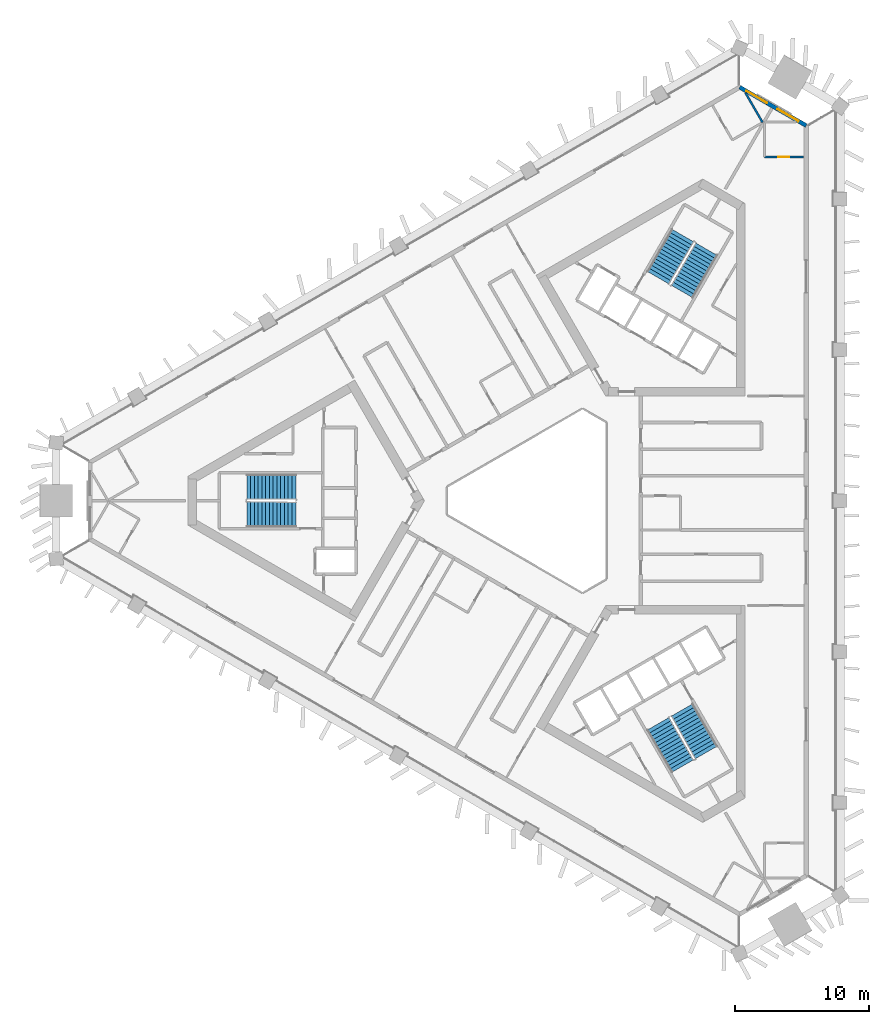
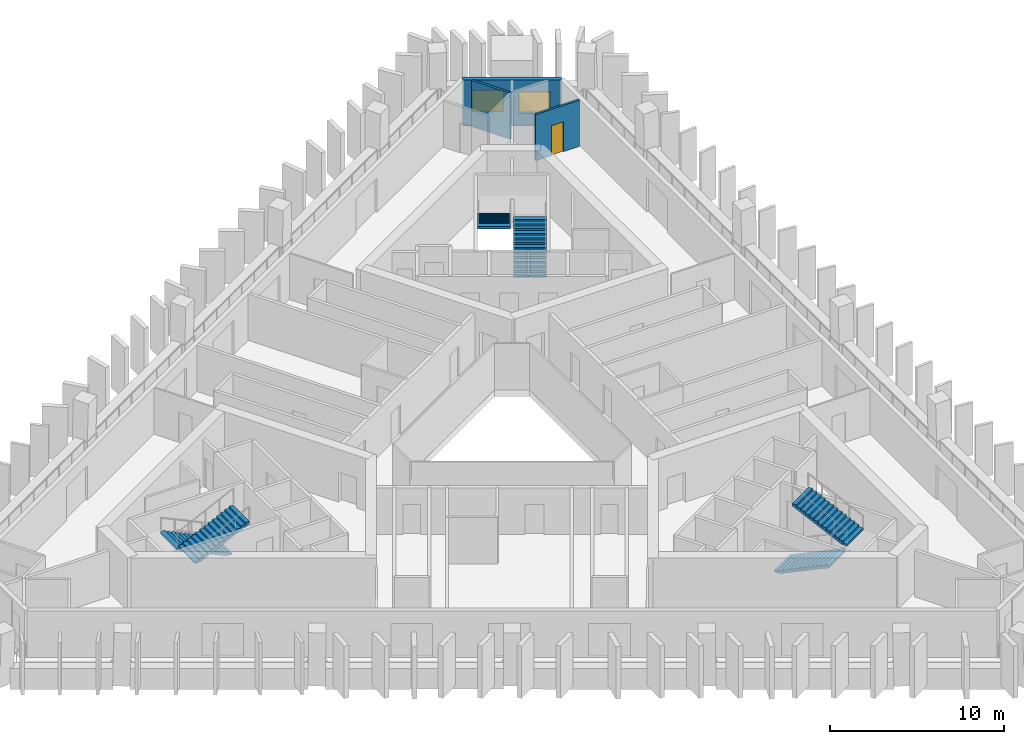
# One storey, part 7 of 11: 6 stair flights, 3 walls, 2 windows, 1 door, 3 openings, 3 elements without a shape of their own.
"""IFC4 building model written with IfcOpenShell, lengths in metres."""

from ifc_helpers import new_model, si_unit, direction, frame, frame_2d, origin, place, context, subcontext, project, spatial, polyline, rectangle, outline, extrude, material, layer, layer_set, type_object, element, fill, aggregate, save


model = new_model("IFC4")

# Units and contexts
model_context = context("Model", 3, precision=1e-05, world=origin(), true_north=direction((0.0, 1.0)))
body_context = subcontext(model_context, "Body", "Model", "MODEL_VIEW")
ifc_project = project(units=[si_unit("LENGTHUNIT", "METRE"), si_unit("AREAUNIT", "SQUARE_METRE"), si_unit("VOLUMEUNIT", "CUBIC_METRE"), si_unit("PLANEANGLEUNIT", "RADIAN"), si_unit("MASSUNIT", "GRAM", prefix="KILO")], contexts=[model_context])

# Site, building, storey
site_placement = place(None, origin())
site = spatial("IfcSite", under=ifc_project, at=site_placement, CompositionType="ELEMENT")
building_placement = place(site_placement, origin())
building = spatial("IfcBuilding", under=site, at=building_placement, Name="Jabali Bay Hotel Tower and Convention Centre", CompositionType="ELEMENT")
storey_placement = place(building_placement, frame((0.0, 0.0, 132.699951171875)))
storey = spatial("IfcBuildingStorey", under=building, at=storey_placement, Name="L32", CompositionType="ELEMENT", Elevation=132.699951171875)

# Wall, openings, windows
ifc_material_1 = material(Name="Concrete C40", Category="concrete")
ifc_layer_1 = layer(ifc_material_1, 0.300048828125)
ifc_layer_set_1 = layer_set([ifc_layer_1], Name="Concrete C40")
wall_type_1 = type_object("IfcWallType", Name="External wall 300", PredefinedType="SOLIDWALL", material=ifc_layer_set_1)
wall_1_placement = place(storey_placement, frame((89.4765625, 110.789794921875, 0.0), z_axis=(0.0, 0.0, 1.0), x_axis=(0.866021273833, -0.500007153218, 0.0)))
wall_1 = element("IfcWall", 1, at=wall_1_placement, inside=storey, type_object=wall_type_1, Name="External wall north-east chamfer L32", PredefinedType="SOLIDWALL", context=body_context, shape_type="SweptSolid", body=[
    extrude(rectangle(XDim=5.7158203125, YDim=0.300048828125, at=frame_2d((2.85791015625, 0.0))), origin(), (0.0, 0.0, 1.0), 3.25),
])
opening_1_placement = place(wall_1_placement, frame((3.255126953125, 0.0, 0.89990234375)))
opening_1 = element("IfcOpeningElement", 2, at=opening_1_placement, cuts=wall_1, Name="Opening W1", PredefinedType="OPENING", context=body_context, shape_type="SweptSolid", body=[
    extrude(rectangle(XDim=1.800048828125, YDim=1.5, at=frame_2d((0.89990234375, 0.75))), frame((0.0, 0.16064453125, 0.0), z_axis=(0.0, -1.0, 0.0), x_axis=(1.0, 0.0, 0.0)), (0.0, 0.0, 1.0), 0.321044921875),
])
opening_2_placement = place(wall_1_placement, frame((0.557373046875, 0.0, 0.89990234375)))
opening_2 = element("IfcOpeningElement", 3, at=opening_2_placement, cuts=wall_1, Name="Opening W1", PredefinedType="OPENING", context=body_context, shape_type="SweptSolid", body=[
    extrude(rectangle(XDim=1.800048828125, YDim=1.5, at=frame_2d((0.89990234375, 0.75))), frame((0.0, 0.16064453125, 0.0), z_axis=(0.0, -1.0, 0.0), x_axis=(1.0, 0.0, 0.0)), (0.0, 0.0, 1.0), 0.321044921875),
])
ifc_material_2 = material(Name="Glass", Category="glass")
window_type = type_object("IfcWindowType", Name="Window 1800 x 1500", PartitioningType="SINGLE_PANEL", PredefinedType="WINDOW", material=ifc_material_2)
window_1_placement = place(opening_1_placement, origin())
window_1 = element("IfcWindow", 4, at=window_1_placement, inside=storey, type_object=window_type, Name="Window 3204", OverallHeight=1.5, OverallWidth=1.800048828125, PartitioningType="SINGLE_PANEL", PredefinedType="WINDOW", context=body_context, shape_type="SweptSolid", body=[
    extrude(rectangle(XDim=1.800048828125, YDim=1.5, at=frame_2d((0.89990234375, 0.75))), frame((0.0, 0.030029296875, 0.0), z_axis=(0.0, -1.0, 0.0), x_axis=(1.0, 0.0, 0.0)), (0.0, 0.0, 1.0), 0.06005859375),
])
fill(opening_1, window_1)
window_2_placement = place(opening_2_placement, origin())
window_2 = element("IfcWindow", 5, at=window_2_placement, inside=storey, type_object=window_type, Name="Window 3206", OverallHeight=1.5, OverallWidth=1.800048828125, PartitioningType="SINGLE_PANEL", PredefinedType="WINDOW", context=body_context, shape_type="SweptSolid", body=[
    extrude(rectangle(XDim=1.800048828125, YDim=1.5, at=frame_2d((0.89990234375, 0.75))), frame((0.0, 0.030029296875, 0.0), z_axis=(0.0, -1.0, 0.0), x_axis=(1.0, 0.0, 0.0)), (0.0, 0.0, 1.0), 0.06005859375),
])
fill(opening_2, window_2)

# Wall, opening, door
ifc_material_3 = material(Name="Plasterboard on steel stud", Category="steel")
ifc_layer_2 = layer(ifc_material_3, 0.14990234375)
ifc_layer_set_2 = layer_set([ifc_layer_2], Name="Plasterboard on steel stud")
wall_type_2 = type_object("IfcWallType", Name="Partition 150 wet", PredefinedType="PARTITIONING", material=ifc_layer_set_2)
wall_2_placement = place(storey_placement, frame((94.236572265625, 105.59423828125, 0.0), z_axis=(0.0, 0.0, 1.0), x_axis=(-1.0, 0.0, 0.0)))
wall_2 = element("IfcWall", 6, at=wall_2_placement, inside=storey, type_object=wall_type_2, Name="Partition P03 L32 018", PredefinedType="PARTITIONING", context=body_context, shape_type="SweptSolid", body=[
    extrude(rectangle(XDim=2.93505859375, YDim=0.14990234375, at=frame_2d((1.467529296875, 0.0))), origin(), (0.0, 0.0, 1.0), 3.25),
])
opening_3_placement = place(wall_2_placement, frame((1.085205078125, 0.0, 0.0)))
opening_3 = element("IfcOpeningElement", 7, at=opening_3_placement, cuts=wall_2, Name="Opening 3209", PredefinedType="OPENING", context=body_context, shape_type="SweptSolid", body=[
    extrude(rectangle(XDim=0.800048828125, YDim=2.10009765625, at=frame_2d((0.39990234375, 1.050048828125))), frame((0.0, 0.08544921875, 0.0), z_axis=(0.0, -1.0, 0.0), x_axis=(1.0, 0.0, 0.0)), (0.0, 0.0, 1.0), 0.1708984375),
])
ifc_material_4 = material(Name="Timber", Category="wood")
door_type = type_object("IfcDoorType", Name="En-suite door 800 x 2100", OperationType="NOTDEFINED", PredefinedType="NOTDEFINED", material=ifc_material_4)
door_placement = place(opening_3_placement, origin())
door = element("IfcDoor", 8, at=door_placement, inside=storey, type_object=door_type, Name="Door 3209", OperationType="SINGLE_SWING_RIGHT", OverallHeight=2.10009765625, OverallWidth=0.800048828125, PredefinedType="NOTDEFINED", context=body_context, shape_type="SweptSolid", body=[
    extrude(rectangle(XDim=0.800048828125, YDim=2.10009765625, at=frame_2d((0.39990234375, 1.050048828125))), frame((0.0, 0.02490234375, 0.0), z_axis=(0.0, -1.0, 0.0), x_axis=(1.0, 0.0, 0.0)), (0.0, 0.0, 1.0), 0.050048828125),
])
fill(opening_3, door)

# Wall
wall_3_placement = place(storey_placement, frame((89.900634765625, 110.373046875, 0.0), z_axis=(0.0, 0.0, 1.0), x_axis=(0.499946044823, -0.86605655258, 0.0)))
element("IfcWall", 9, at=wall_3_placement, inside=storey, type_object=wall_type_2, Name="Partition P03 L32 027", PredefinedType="PARTITIONING", context=body_context, shape_type="SweptSolid", body=[
    extrude(rectangle(XDim=2.552001953125, YDim=0.14990234375, at=frame_2d((1.27587890625, 0.0))), origin(), (0.0, 0.0, 1.0), 3.25),
])

# Stair, stair flights
stair_type = type_object("IfcStairType", Name="Exit stair 1900", PredefinedType="HALF_TURN_STAIR", material=ifc_material_1)
stair_1_placement = place(storey_placement, origin())
stair_1 = element("IfcStair", 10, at=stair_1_placement, inside=storey, type_object=stair_type, Name="L32 Exit Stair 1", PredefinedType="HALF_TURN_STAIR")
stair_flight_type = type_object("IfcStairFlightType", Name="Stair flight concrete 150", PredefinedType="STRAIGHT", material=ifc_material_1)
stair_flight_1_placement = place(storey_placement, frame((56.419921875, 81.02490234375, 0.0), z_axis=(0.0, 0.0, 1.0), x_axis=(-1.0, 0.0, 0.0)))
stair_flight_1 = element("IfcStairFlight", 11, at=stair_flight_1_placement, type_object=stair_flight_type, Name="ST1 flight 1", NumberOfRisers=14, NumberOfTreads=13, PredefinedType="STRAIGHT", RiserHeight=0.132142857, TreadLength=0.28, context=body_context, shape_type="SweptSolid", body=[
    extrude(outline(polyline([(0.0, 0.0), (0.0, 0.132080078125), (0.280029296875, 0.132080078125), (0.280029296875, 0.264404296875), (0.56005859375, 0.264404296875), (0.56005859375, 0.396484375), (0.840087890625, 0.396484375), (0.840087890625, 0.528564453125), (1.1201171875, 0.528564453125), (1.1201171875, 0.66064453125), (1.39990234375, 0.66064453125), (1.39990234375, 0.79296875), (1.679931640625, 0.79296875), (1.679931640625, 0.925048828125), (1.9599609375, 0.925048828125), (1.9599609375, 1.05712890625), (2.239990234375, 1.05712890625), (2.239990234375, 1.189208984375), (2.52001953125, 1.189208984375), (2.52001953125, 1.321533203125), (2.800048828125, 1.321533203125), (2.800048828125, 1.45361328125), (3.080078125, 1.45361328125), (3.080078125, 1.585693359375), (3.360107421875, 1.585693359375), (3.360107421875, 1.7177734375), (3.639892578125, 1.7177734375), (3.639892578125, 1.85009765625), (3.639892578125, 1.552001953125), (0.351318359375, 0.0), (0.0, 0.0)])), frame((0.0, 0.949951171875, 0.0), z_axis=(0.0, -1.0, 0.0), x_axis=(1.0, 0.0, 0.0)), (0.0, 0.0, 1.0), 1.89990234375),
])
stair_flight_2_placement = place(storey_placement, frame((52.780029296875, 78.97509765625, 1.85009765625), z_axis=(0.0, 0.0, 1.0), x_axis=(1.0, 0.0, 0.0)))
stair_flight_2 = element("IfcStairFlight", 12, at=stair_flight_2_placement, type_object=stair_flight_type, Name="ST1 flight 2", NumberOfRisers=14, NumberOfTreads=13, PredefinedType="STRAIGHT", RiserHeight=0.132142857, TreadLength=0.28, context=body_context, shape_type="SweptSolid", body=[
    extrude(outline(polyline([(0.0, 0.0), (0.0, 0.132080078125), (0.280029296875, 0.132080078125), (0.280029296875, 0.264404296875), (0.56005859375, 0.264404296875), (0.56005859375, 0.396484375), (0.840087890625, 0.396484375), (0.840087890625, 0.528564453125), (1.1201171875, 0.528564453125), (1.1201171875, 0.66064453125), (1.39990234375, 0.66064453125), (1.39990234375, 0.79296875), (1.679931640625, 0.79296875), (1.679931640625, 0.925048828125), (1.9599609375, 0.925048828125), (1.9599609375, 1.05712890625), (2.239990234375, 1.05712890625), (2.239990234375, 1.189208984375), (2.52001953125, 1.189208984375), (2.52001953125, 1.321533203125), (2.800048828125, 1.321533203125), (2.800048828125, 1.45361328125), (3.080078125, 1.45361328125), (3.080078125, 1.585693359375), (3.360107421875, 1.585693359375), (3.360107421875, 1.7177734375), (3.639892578125, 1.7177734375), (3.639892578125, 1.85009765625), (3.639892578125, 1.552001953125), (0.351318359375, 0.0), (0.0, 0.0)])), frame((0.0, 0.949951171875, 0.0), z_axis=(0.0, -1.0, 0.0), x_axis=(1.0, 0.0, 0.0)), (0.0, 0.0, 1.0), 1.89990234375),
])
aggregate(stair_1, [stair_flight_1, stair_flight_2])

stair_2_placement = place(storey_placement, origin())
stair_2 = element("IfcStair", 13, at=stair_2_placement, inside=storey, type_object=stair_type, Name="L32 Exit Stair 2", PredefinedType="HALF_TURN_STAIR")
stair_flight_3_placement = place(storey_placement, frame((85.177734375, 95.578369140625, 0.0), z_axis=(0.0, 0.0, 1.0), x_axis=(0.5, 0.866025403784, 0.0)))
stair_flight_3 = element("IfcStairFlight", 14, at=stair_flight_3_placement, type_object=stair_flight_type, Name="ST2 flight 1", NumberOfRisers=14, NumberOfTreads=13, PredefinedType="STRAIGHT", RiserHeight=0.132142857, TreadLength=0.28, context=body_context, shape_type="SweptSolid", body=[
    extrude(outline(polyline([(0.0, 0.0), (0.0, 0.132080078125), (0.280029296875, 0.132080078125), (0.280029296875, 0.264404296875), (0.56005859375, 0.264404296875), (0.56005859375, 0.396484375), (0.840087890625, 0.396484375), (0.840087890625, 0.528564453125), (1.1201171875, 0.528564453125), (1.1201171875, 0.66064453125), (1.39990234375, 0.66064453125), (1.39990234375, 0.79296875), (1.679931640625, 0.79296875), (1.679931640625, 0.925048828125), (1.9599609375, 0.925048828125), (1.9599609375, 1.05712890625), (2.239990234375, 1.05712890625), (2.239990234375, 1.189208984375), (2.52001953125, 1.189208984375), (2.52001953125, 1.321533203125), (2.800048828125, 1.321533203125), (2.800048828125, 1.45361328125), (3.080078125, 1.45361328125), (3.080078125, 1.585693359375), (3.360107421875, 1.585693359375), (3.360107421875, 1.7177734375), (3.639892578125, 1.7177734375), (3.639892578125, 1.85009765625), (3.639892578125, 1.552001953125), (0.351318359375, 0.0), (0.0, 0.0)])), frame((0.0, 0.949951171875, 0.0), z_axis=(0.0, -1.0, 0.0), x_axis=(1.0, 0.0, 0.0)), (0.0, 0.0, 1.0), 1.89990234375),
])
stair_flight_4_placement = place(storey_placement, frame((85.222412109375, 99.755615234375, 1.85009765625), z_axis=(0.0, 0.0, 1.0), x_axis=(-0.5, -0.866025403784, 0.0)))
stair_flight_4 = element("IfcStairFlight", 15, at=stair_flight_4_placement, type_object=stair_flight_type, Name="ST2 flight 2", NumberOfRisers=14, NumberOfTreads=13, PredefinedType="STRAIGHT", RiserHeight=0.132142857, TreadLength=0.28, context=body_context, shape_type="SweptSolid", body=[
    extrude(outline(polyline([(0.0, 0.0), (0.0, 0.132080078125), (0.280029296875, 0.132080078125), (0.280029296875, 0.264404296875), (0.56005859375, 0.264404296875), (0.56005859375, 0.396484375), (0.840087890625, 0.396484375), (0.840087890625, 0.528564453125), (1.1201171875, 0.528564453125), (1.1201171875, 0.66064453125), (1.39990234375, 0.66064453125), (1.39990234375, 0.79296875), (1.679931640625, 0.79296875), (1.679931640625, 0.925048828125), (1.9599609375, 0.925048828125), (1.9599609375, 1.05712890625), (2.239990234375, 1.05712890625), (2.239990234375, 1.189208984375), (2.52001953125, 1.189208984375), (2.52001953125, 1.321533203125), (2.800048828125, 1.321533203125), (2.800048828125, 1.45361328125), (3.080078125, 1.45361328125), (3.080078125, 1.585693359375), (3.360107421875, 1.585693359375), (3.360107421875, 1.7177734375), (3.639892578125, 1.7177734375), (3.639892578125, 1.85009765625), (3.639892578125, 1.552001953125), (0.351318359375, 0.0), (0.0, 0.0)])), frame((0.0, 0.949951171875, 0.0), z_axis=(0.0, -1.0, 0.0), x_axis=(1.0, 0.0, 0.0)), (0.0, 0.0, 1.0), 1.89990234375),
])
aggregate(stair_2, [stair_flight_3, stair_flight_4])

stair_3_placement = place(storey_placement, origin())
stair_3 = element("IfcStair", 16, at=stair_3_placement, inside=storey, type_object=stair_type, Name="L32 Exit Stair 3", PredefinedType="HALF_TURN_STAIR")
stair_flight_5_placement = place(storey_placement, frame((83.40234375, 63.396728515625, 0.0), z_axis=(0.0, 0.0, 1.0), x_axis=(0.5, -0.866025403784, 0.0)))
stair_flight_5 = element("IfcStairFlight", 17, at=stair_flight_5_placement, type_object=stair_flight_type, Name="ST3 flight 1", NumberOfRisers=14, NumberOfTreads=13, PredefinedType="STRAIGHT", RiserHeight=0.132142857, TreadLength=0.28, context=body_context, shape_type="SweptSolid", body=[
    extrude(outline(polyline([(0.0, 0.0), (0.0, 0.132080078125), (0.280029296875, 0.132080078125), (0.280029296875, 0.264404296875), (0.56005859375, 0.264404296875), (0.56005859375, 0.396484375), (0.840087890625, 0.396484375), (0.840087890625, 0.528564453125), (1.1201171875, 0.528564453125), (1.1201171875, 0.66064453125), (1.39990234375, 0.66064453125), (1.39990234375, 0.79296875), (1.679931640625, 0.79296875), (1.679931640625, 0.925048828125), (1.9599609375, 0.925048828125), (1.9599609375, 1.05712890625), (2.239990234375, 1.05712890625), (2.239990234375, 1.189208984375), (2.52001953125, 1.189208984375), (2.52001953125, 1.321533203125), (2.800048828125, 1.321533203125), (2.800048828125, 1.45361328125), (3.080078125, 1.45361328125), (3.080078125, 1.585693359375), (3.360107421875, 1.585693359375), (3.360107421875, 1.7177734375), (3.639892578125, 1.7177734375), (3.639892578125, 1.85009765625), (3.639892578125, 1.552001953125), (0.351318359375, 0.0), (0.0, 0.0)])), frame((0.0, 0.949951171875, 0.0), z_axis=(0.0, -1.0, 0.0), x_axis=(1.0, 0.0, 0.0)), (0.0, 0.0, 1.0), 1.89990234375),
])
stair_flight_6_placement = place(storey_placement, frame((86.99755859375, 61.26953125, 1.85009765625), z_axis=(0.0, 0.0, 1.0), x_axis=(-0.5, 0.866025403784, 0.0)))
stair_flight_6 = element("IfcStairFlight", 18, at=stair_flight_6_placement, type_object=stair_flight_type, Name="ST3 flight 2", NumberOfRisers=14, NumberOfTreads=13, PredefinedType="STRAIGHT", RiserHeight=0.132142857, TreadLength=0.28, context=body_context, shape_type="SweptSolid", body=[
    extrude(outline(polyline([(0.0, 0.0), (0.0, 0.132080078125), (0.280029296875, 0.132080078125), (0.280029296875, 0.264404296875), (0.56005859375, 0.264404296875), (0.56005859375, 0.396484375), (0.840087890625, 0.396484375), (0.840087890625, 0.528564453125), (1.1201171875, 0.528564453125), (1.1201171875, 0.66064453125), (1.39990234375, 0.66064453125), (1.39990234375, 0.79296875), (1.679931640625, 0.79296875), (1.679931640625, 0.925048828125), (1.9599609375, 0.925048828125), (1.9599609375, 1.05712890625), (2.239990234375, 1.05712890625), (2.239990234375, 1.189208984375), (2.52001953125, 1.189208984375), (2.52001953125, 1.321533203125), (2.800048828125, 1.321533203125), (2.800048828125, 1.45361328125), (3.080078125, 1.45361328125), (3.080078125, 1.585693359375), (3.360107421875, 1.585693359375), (3.360107421875, 1.7177734375), (3.639892578125, 1.7177734375), (3.639892578125, 1.85009765625), (3.639892578125, 1.552001953125), (0.351318359375, 0.0), (0.0, 0.0)])), frame((0.0, 0.949951171875, 0.0), z_axis=(0.0, -1.0, 0.0), x_axis=(1.0, 0.0, 0.0)), (0.0, 0.0, 1.0), 1.89990234375),
])
aggregate(stair_3, [stair_flight_5, stair_flight_6])

save(model, "model.ifc")
